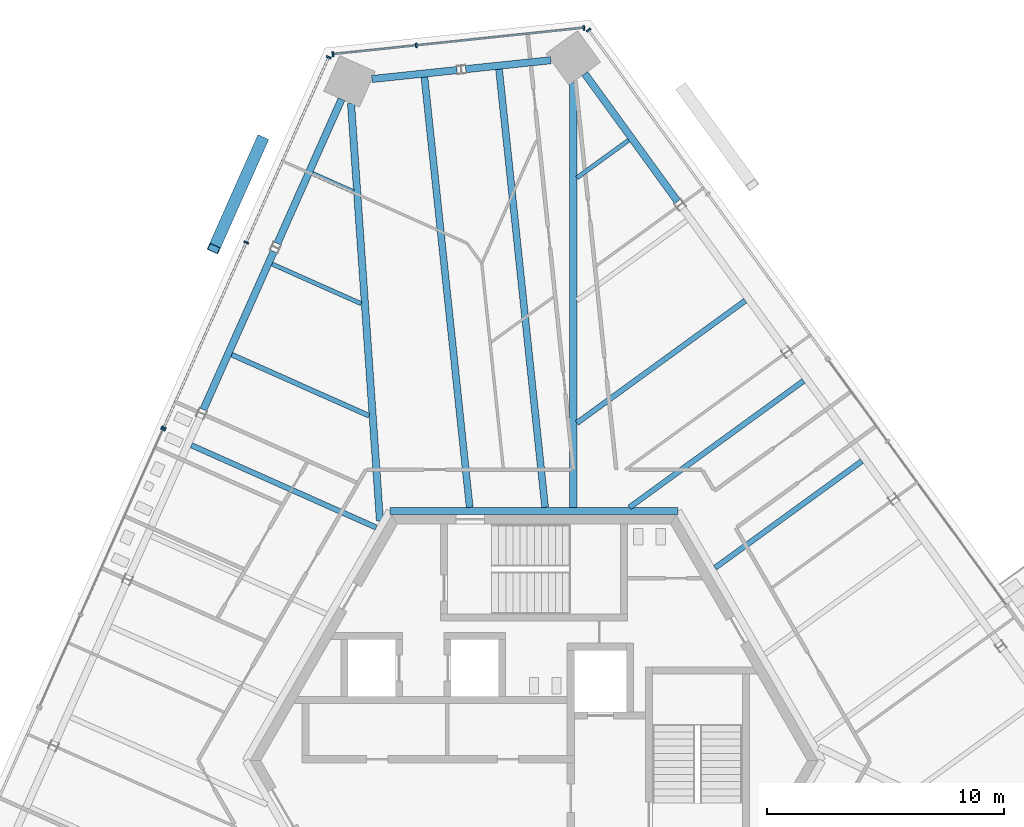
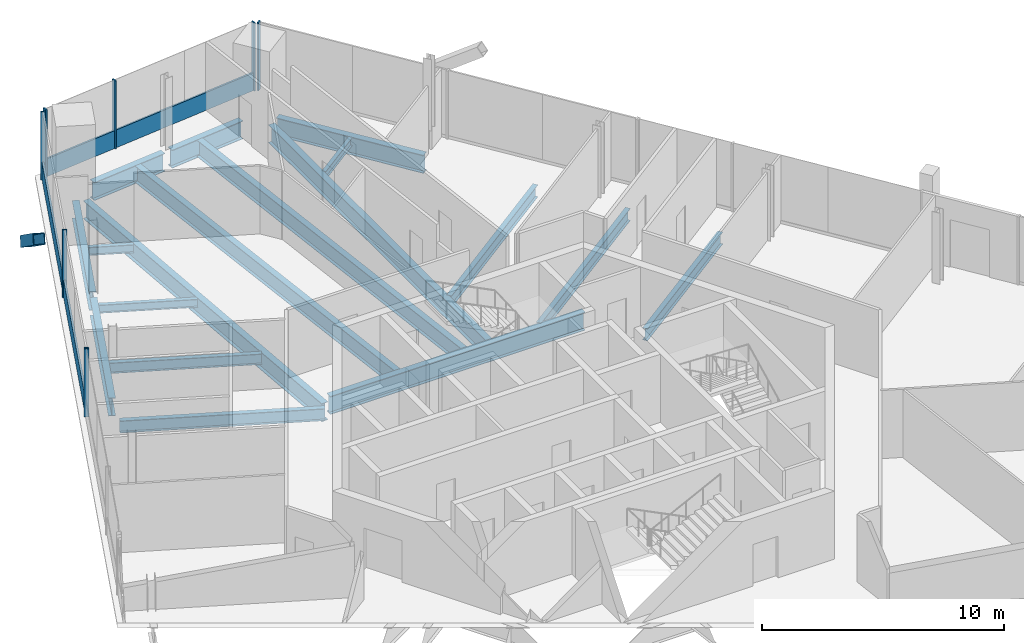
# One storey, part 8 of 19: 18 beams, 13 members, 4 elements without a shape of their own.
"""IFC4 building model written with IfcOpenShell, lengths in metres."""

from ifc_helpers import new_model, si_unit, direction, frame, origin, origin_2d, place, context, subcontext, project, spatial, rectangle, hollow_rectangle, i_section, extrude, source, transform, mapped, material, material_profile, profile_set, type_object, element, aggregate, save


model = new_model("IFC4")

# Units and contexts
model_context = context("Model", 3, precision=1e-05, world=origin(), true_north=direction((0.0, 1.0)))
body_context = subcontext(model_context, "Body", "Model", "MODEL_VIEW")
ifc_project = project(units=[si_unit("LENGTHUNIT", "METRE"), si_unit("AREAUNIT", "SQUARE_METRE"), si_unit("VOLUMEUNIT", "CUBIC_METRE"), si_unit("PLANEANGLEUNIT", "RADIAN"), si_unit("MASSUNIT", "GRAM", prefix="KILO")], contexts=[model_context])

# Site, building, storey
site_placement = place(None, origin())
site = spatial("IfcSite", under=ifc_project, at=site_placement, CompositionType="ELEMENT")
building_placement = place(site_placement, origin())
building = spatial("IfcBuilding", under=site, at=building_placement, Name="Triune Harvest Tower", CompositionType="ELEMENT")
storey_placement = place(building_placement, frame((0.0, 0.0, 223.300048828125)))
storey = spatial("IfcBuildingStorey", under=building, at=storey_placement, Name="L58", CompositionType="ELEMENT", Elevation=223.300048828125)

# Beams
ifc_material_1 = material(Name="Steel ASTM A992 Gr 50", Category="steel")
ifc_material_profile_1 = material_profile(ifc_material_1, i_section(OverallWidth=0.3046875, OverallDepth=0.914306640625, WebThickness=0.0166015625, FlangeThickness=0.02587890625, at=origin_2d()), Name="W36x160")
ifc_profile_set_1 = profile_set([ifc_material_profile_1], Name="Steel ASTM A992 Gr 50")
beam_type_1 = type_object("IfcBeamType", Name="CG-1 Core ring girder W36x160", PredefinedType="BEAM", material=ifc_profile_set_1)
shared_shape_1 = source(origin(), body_context, "Body", "SweptSolid", [
    extrude(i_section(OverallWidth=0.3046875, OverallDepth=0.914306640625, WebThickness=0.0166015625, FlangeThickness=0.02587890625, at=origin_2d()), origin(), (0.0, 0.0, 1.0), 12.17578125),
])
beam_1_placement = place(storey_placement, frame((6.087890625, 10.544677734375, -0.6171875), z_axis=(-1.0, 0.0, 0.0), x_axis=(0.0, -1.0, 0.0)))
element("IfcBeam", 1, at=beam_1_placement, inside=storey, type_object=beam_type_1, Name="beam/L58/CG2", PredefinedType="BEAM", context=body_context, shape_type="MappedRepresentation", body=[
    mapped(shared_shape_1, transform((0.0, 0.0, 0.0), scale=1.0)),
])
ifc_material_2 = material(Name="Steel ASTM A992 Gr 50", Category="steel")
ifc_material_profile_2 = material_profile(ifc_material_2, i_section(OverallWidth=0.3046875, OverallDepth=0.914306640625, WebThickness=0.0166015625, FlangeThickness=0.02587890625, at=origin_2d()), Name="W36x160")
ifc_profile_set_2 = profile_set([ifc_material_profile_2], Name="Steel ASTM A992 Gr 50")
beam_type_2 = type_object("IfcBeamType", Name="SB-1 Spandrel beam W36x160", PredefinedType="SPANDREL", material=ifc_profile_set_2)
shared_shape_2 = source(origin(), body_context, "Body", "SweptSolid", [
    extrude(i_section(OverallWidth=0.3046875, OverallDepth=0.914306640625, WebThickness=0.0166015625, FlangeThickness=0.02587890625, at=origin_2d()), origin(), (0.0, 0.0, 1.0), 6.67041015625),
])
beam_2_placement = place(storey_placement, frame((6.06396484375, 23.617919921875, -0.6171875), z_axis=(-0.587797324645, 0.80900822316, 0.0), x_axis=(-0.80900822316, -0.587797324645, 0.0)))
element("IfcBeam", 2, at=beam_2_placement, inside=storey, type_object=beam_type_2, Name="beam/L58/SB6", PredefinedType="SPANDREL", context=body_context, shape_type="MappedRepresentation", body=[
    mapped(shared_shape_2, transform((0.0, 0.0, 0.0), scale=1.0)),
])
shared_shape_3 = source(origin(), body_context, "Body", "SweptSolid", [
    extrude(i_section(OverallWidth=0.3046875, OverallDepth=0.914306640625, WebThickness=0.0166015625, FlangeThickness=0.02587890625, at=origin_2d()), origin(), (0.0, 0.0, 1.0), 3.614990234375),
])
for number, where, z_axis, x_axis, name in (
    (3, (0.710693359375, 29.58203125, -0.6171875), (-0.994520245169, -0.104544162673, 0.0), (0.104544162673, -0.994520245169, 0.0), "beam/L58/SB7"),
    (4, (-3.25048828125, 29.165771484375, -0.6171875), (-0.994520245169, -0.104544162673, 0.0), (0.104544162673, -0.994520245169, 0.0), "beam/L58/SB8"),
):
    element("IfcBeam", number, at=place(storey_placement, frame(where, z_axis=z_axis, x_axis=x_axis)), inside=storey, type_object=beam_type_2, Name=name, PredefinedType="SPANDREL", context=body_context, shape_type="MappedRepresentation", body=[
        mapped(shared_shape_3, transform((0.0, 0.0, 0.0), scale=1.0)),
    ])
shared_shape_4 = source(origin(), body_context, "Body", "SweptSolid", [
    extrude(i_section(OverallWidth=0.3046875, OverallDepth=0.914306640625, WebThickness=0.0166015625, FlangeThickness=0.02587890625, at=origin_2d()), origin(), (0.0, 0.0, 1.0), 6.670166015625),
])
beam_3_placement = place(storey_placement, frame((-8.128662109375, 27.9345703125, -0.6171875), z_axis=(-0.406753053854, -0.913538150917, 0.0), x_axis=(0.913538150917, -0.406753053854, 0.0)))
element("IfcBeam", 5, at=beam_3_placement, inside=storey, type_object=beam_type_2, Name="beam/L58/SB9", PredefinedType="SPANDREL", context=body_context, shape_type="MappedRepresentation", body=[
    mapped(shared_shape_4, transform((0.0, 0.0, 0.0), scale=1.0)),
])
shared_shape_5 = source(origin(), body_context, "Body", "SweptSolid", [
    extrude(i_section(OverallWidth=0.3046875, OverallDepth=0.914306640625, WebThickness=0.0166015625, FlangeThickness=0.02587890625, at=origin_2d()), origin(), (0.0, 0.0, 1.0), 7.311279296875),
])
beam_4_placement = place(storey_placement, frame((-10.991455078125, 21.504638671875, -0.6171875), z_axis=(-0.406720859208, -0.91355248491, 0.0), x_axis=(0.91355248491, -0.406720859208, 0.0)))
element("IfcBeam", 6, at=beam_4_placement, inside=storey, type_object=beam_type_2, Name="beam/L58/SB10", PredefinedType="SPANDREL", context=body_context, shape_type="MappedRepresentation", body=[
    mapped(shared_shape_5, transform((0.0, 0.0, 0.0), scale=1.0)),
])
ifc_material_3 = material(Name="Steel ASTM A992 Gr 50", Category="steel")
ifc_material_profile_3 = material_profile(ifc_material_3, i_section(OverallWidth=0.3046875, OverallDepth=0.914306640625, WebThickness=0.0166015625, FlangeThickness=0.02587890625, at=origin_2d()), Name="W36x160")
ifc_profile_set_3 = profile_set([ifc_material_profile_3], Name="Steel ASTM A992 Gr 50")
beam_type_3 = type_object("IfcBeamType", Name="HG-3 Hip girder W36x160", PredefinedType="BEAM", material=ifc_profile_set_3)
shared_shape_6 = source(origin(), body_context, "Body", "SweptSolid", [
    extrude(i_section(OverallWidth=0.3046875, OverallDepth=0.914306640625, WebThickness=0.0166015625, FlangeThickness=0.02587890625, at=origin_2d()), origin(), (0.0, 0.0, 1.0), 17.96484375),
])
beam_5_placement = place(storey_placement, frame((1.658203125, 28.661865234375, -0.6171875), z_axis=(0.0, -1.0, 0.0), x_axis=(1.0, 0.0, 0.0)))
element("IfcBeam", 7, at=beam_5_placement, inside=storey, type_object=beam_type_3, Name="beam/L58/HG3", PredefinedType="BEAM", context=body_context, shape_type="MappedRepresentation", body=[
    mapped(shared_shape_6, transform((0.0, 0.0, 0.0), scale=1.0)),
])
shared_shape_7 = source(origin(), body_context, "Body", "SweptSolid", [
    extrude(i_section(OverallWidth=0.3046875, OverallDepth=0.914306640625, WebThickness=0.0166015625, FlangeThickness=0.02587890625, at=origin_2d()), origin(), (0.0, 0.0, 1.0), 17.6748046875),
])
beam_6_placement = place(storey_placement, frame((-7.728515625, 27.756591796875, -0.6171875), z_axis=(0.069119702871, -0.997608373399, 0.0), x_axis=(0.997608373399, 0.069119702871, 0.0)))
element("IfcBeam", 8, at=beam_6_placement, inside=storey, type_object=beam_type_3, Name="beam/L58/HG4", PredefinedType="BEAM", context=body_context, shape_type="MappedRepresentation", body=[
    mapped(shared_shape_7, transform((0.0, 0.0, 0.0), scale=1.0)),
])
ifc_material_4 = material(Name="Steel ASTM A992 Gr 50", Category="steel")
ifc_material_profile_4 = material_profile(ifc_material_4, i_section(OverallWidth=0.2099609375, OverallDepth=0.535888671875, WebThickness=0.010986328125, FlangeThickness=0.017333984375, at=origin_2d()), Name="W21x68")
ifc_profile_set_4 = profile_set([ifc_material_profile_4], Name="Steel ASTM A992 Gr 50")
beam_type_4 = type_object("IfcBeamType", Name="JT-2 Floor joist W21x68", PredefinedType="JOIST", material=ifc_profile_set_4)
shared_shape_8 = source(origin(), body_context, "Body", "SweptSolid", [
    extrude(i_section(OverallWidth=0.2099609375, OverallDepth=0.535888671875, WebThickness=0.010986328125, FlangeThickness=0.017333984375, at=origin_2d()), origin(), (0.0, 0.0, 1.0), 6.346435546875),
])
beam_7_placement = place(storey_placement, frame((-12.76513671875, 17.146484375, -0.427978515625), z_axis=(0.913549614508, -0.406727306476, 0.0), x_axis=(0.406727306476, 0.913549614508, 0.0)))
element("IfcBeam", 9, at=beam_7_placement, inside=storey, type_object=beam_type_4, Name="beam/L58/JT15", PredefinedType="JOIST", context=body_context, shape_type="MappedRepresentation", body=[
    mapped(shared_shape_8, transform((0.0, 0.0, 0.0), scale=1.0)),
])
ifc_material_5 = material(Name="Steel ASTM A992 Gr 50", Category="steel")
ifc_material_profile_5 = material_profile(ifc_material_5, i_section(OverallWidth=0.22900390625, OverallDepth=0.612060546875, WebThickness=0.011962890625, FlangeThickness=0.01953125, at=origin_2d()), Name="W24x84")
ifc_profile_set_5 = profile_set([ifc_material_profile_5], Name="Steel ASTM A992 Gr 50")
beam_type_5 = type_object("IfcBeamType", Name="JT-3 Floor joist W24x84", PredefinedType="JOIST", material=ifc_profile_set_5)
shared_shape_9 = source(origin(), body_context, "Body", "SweptSolid", [
    extrude(i_section(OverallWidth=0.22900390625, OverallDepth=0.612060546875, WebThickness=0.011962890625, FlangeThickness=0.01953125, at=origin_2d()), origin(), (0.0, 0.0, 1.0), 7.659423828125),
])
beam_8_placement = place(storey_placement, frame((13.845458984375, 12.648193359375, -0.466064453125), z_axis=(-0.809007534686, -0.587798272217, 0.0), x_axis=(0.587798272217, -0.809007534686, 0.0)))
element("IfcBeam", 10, at=beam_8_placement, inside=storey, type_object=beam_type_5, Name="beam/L58/JT6", PredefinedType="JOIST", context=body_context, shape_type="MappedRepresentation", body=[
    mapped(shared_shape_9, transform((0.0, 0.0, 0.0), scale=1.0)),
])
shared_shape_10 = source(origin(), body_context, "Body", "SweptSolid", [
    extrude(i_section(OverallWidth=0.22900390625, OverallDepth=0.612060546875, WebThickness=0.011962890625, FlangeThickness=0.01953125, at=origin_2d()), origin(), (0.0, 0.0, 1.0), 9.084716796875),
])
beam_9_placement = place(storey_placement, frame((11.38330078125, 16.036865234375, -0.466064453125), z_axis=(-0.809014901919, -0.5877881323, 0.0), x_axis=(0.5877881323, -0.809014901919, 0.0)))
element("IfcBeam", 11, at=beam_9_placement, inside=storey, type_object=beam_type_5, Name="beam/L58/JT7", PredefinedType="JOIST", context=body_context, shape_type="MappedRepresentation", body=[
    mapped(shared_shape_10, transform((0.0, 0.0, 0.0), scale=1.0)),
])
shared_shape_11 = source(origin(), body_context, "Body", "SweptSolid", [
    extrude(i_section(OverallWidth=0.22900390625, OverallDepth=0.612060546875, WebThickness=0.011962890625, FlangeThickness=0.01953125, at=origin_2d()), origin(), (0.0, 0.0, 1.0), 8.789306640625),
])
beam_10_placement = place(storey_placement, frame((8.921142578125, 19.42578125, -0.466064453125), z_axis=(-0.809011065255, -0.587793412939, 0.0), x_axis=(0.587793412939, -0.809011065255, 0.0)))
element("IfcBeam", 12, at=beam_10_placement, inside=storey, type_object=beam_type_5, Name="beam/L58/JT8", PredefinedType="JOIST", context=body_context, shape_type="MappedRepresentation", body=[
    mapped(shared_shape_11, transform((0.0, 0.0, 0.0), scale=1.0)),
])
ifc_material_6 = material(Name="Steel ASTM A992 Gr 50", Category="steel")
ifc_material_profile_6 = material_profile(ifc_material_6, i_section(OverallWidth=0.180908203125, OverallDepth=0.41650390625, WebThickness=0.010986328125, FlangeThickness=0.01806640625, at=origin_2d()), Name="W16x57")
ifc_profile_set_6 = profile_set([ifc_material_profile_6], Name="Steel ASTM A992 Gr 50")
beam_type_6 = type_object("IfcBeamType", Name="JT-1 Floor joist W16x57", PredefinedType="JOIST", material=ifc_profile_set_6)
shared_shape_12 = source(origin(), body_context, "Body", "SweptSolid", [
    extrude(i_section(OverallWidth=0.180908203125, OverallDepth=0.41650390625, WebThickness=0.010986328125, FlangeThickness=0.01806640625, at=origin_2d()), origin(), (0.0, 0.0, 1.0), 2.70263671875),
])
beam_11_placement = place(storey_placement, frame((3.9970703125, 26.203369140625, -0.368408203125), z_axis=(-0.809013338029, -0.587790284788, 0.0), x_axis=(0.587790284788, -0.809013338029, 0.0)))
element("IfcBeam", 13, at=beam_11_placement, inside=storey, type_object=beam_type_6, Name="beam/L58/JT10", PredefinedType="JOIST", context=body_context, shape_type="MappedRepresentation", body=[
    mapped(shared_shape_12, transform((0.0, 0.0, 0.0), scale=1.0)),
])
ifc_material_7 = material(Name="Steel ASTM A992 Gr 50", Category="steel")
ifc_material_profile_7 = material_profile(ifc_material_7, i_section(OverallWidth=0.2919921875, OverallDepth=0.8408203125, WebThickness=0.0146484375, FlangeThickness=0.021728515625, at=origin_2d()), Name="W33x130")
ifc_profile_set_7 = profile_set([ifc_material_profile_7], Name="Steel ASTM A992 Gr 50")
beam_type_7 = type_object("IfcBeamType", Name="JT-6 Floor joist W33x130", PredefinedType="JOIST", material=ifc_profile_set_7)
shared_shape_13 = source(origin(), body_context, "Body", "SweptSolid", [
    extrude(i_section(OverallWidth=0.2919921875, OverallDepth=0.8408203125, WebThickness=0.0146484375, FlangeThickness=0.021728515625, at=origin_2d()), origin(), (0.0, 0.0, 1.0), 18.60400390625),
])
beam_12_placement = place(storey_placement, frame((-1.476318359375, 29.198974609375, -0.58056640625), z_axis=(0.104538595675, -0.994520830357, 0.0), x_axis=(0.994520830357, 0.104538595675, 0.0)))
element("IfcBeam", 14, at=beam_12_placement, inside=storey, type_object=beam_type_7, Name="beam/L58/JT11", PredefinedType="JOIST", context=body_context, shape_type="MappedRepresentation", body=[
    mapped(shared_shape_13, transform((0.0, 0.0, 0.0), scale=1.0)),
])
shared_shape_14 = source(origin(), body_context, "Body", "SweptSolid", [
    extrude(i_section(OverallWidth=0.2919921875, OverallDepth=0.8408203125, WebThickness=0.0146484375, FlangeThickness=0.021728515625, at=origin_2d()), origin(), (0.0, 0.0, 1.0), 18.27099609375),
])
beam_13_placement = place(storey_placement, frame((-4.626708984375, 28.867919921875, -0.58056640625), z_axis=(0.104532454263, -0.99452147589, 0.0), x_axis=(0.99452147589, 0.104532454263, 0.0)))
element("IfcBeam", 15, at=beam_13_placement, inside=storey, type_object=beam_type_7, Name="beam/L58/JT12", PredefinedType="JOIST", context=body_context, shape_type="MappedRepresentation", body=[
    mapped(shared_shape_14, transform((0.0, 0.0, 0.0), scale=1.0)),
])
shared_shape_15 = source(origin(), body_context, "Body", "SweptSolid", [
    extrude(i_section(OverallWidth=0.180908203125, OverallDepth=0.41650390625, WebThickness=0.010986328125, FlangeThickness=0.01806640625, at=origin_2d()), origin(), (0.0, 0.0, 1.0), 1.899169921875),
])
beam_14_placement = place(storey_placement, frame((-9.357666015625, 24.7998046875, -0.368408203125), z_axis=(0.913535666592, -0.406758633422, 0.0), x_axis=(0.406758633422, 0.913535666592, 0.0)))
element("IfcBeam", 16, at=beam_14_placement, inside=storey, type_object=beam_type_6, Name="beam/L58/JT13", PredefinedType="JOIST", context=body_context, shape_type="MappedRepresentation", body=[
    mapped(shared_shape_15, transform((0.0, 0.0, 0.0), scale=1.0)),
])
shared_shape_16 = source(origin(), body_context, "Body", "SweptSolid", [
    extrude(i_section(OverallWidth=0.180908203125, OverallDepth=0.41650390625, WebThickness=0.010986328125, FlangeThickness=0.01806640625, at=origin_2d()), origin(), (0.0, 0.0, 1.0), 4.12255859375),
])
beam_15_placement = place(storey_placement, frame((-11.061279296875, 20.972900390625, -0.368408203125), z_axis=(0.913547607509, -0.406731814363, 0.0), x_axis=(0.406731814363, 0.913547607509, 0.0)))
element("IfcBeam", 17, at=beam_15_placement, inside=storey, type_object=beam_type_6, Name="beam/L58/JT14", PredefinedType="JOIST", context=body_context, shape_type="MappedRepresentation", body=[
    mapped(shared_shape_16, transform((0.0, 0.0, 0.0), scale=1.0)),
])
shared_shape_17 = source(origin(), body_context, "Body", "SweptSolid", [
    extrude(i_section(OverallWidth=0.22900390625, OverallDepth=0.612060546875, WebThickness=0.011962890625, FlangeThickness=0.01953125, at=origin_2d()), origin(), (0.0, 0.0, 1.0), 8.539794921875),
])
beam_16_placement = place(storey_placement, frame((-14.46875, 13.319580078125, -0.466064453125), z_axis=(0.913548460016, -0.406729899567, 0.0), x_axis=(0.406729899567, 0.913548460016, 0.0)))
element("IfcBeam", 18, at=beam_16_placement, inside=storey, type_object=beam_type_5, Name="beam/L58/JT16", PredefinedType="JOIST", context=body_context, shape_type="MappedRepresentation", body=[
    mapped(shared_shape_17, transform((0.0, 0.0, 0.0), scale=1.0)),
])

# Member
ifc_material_8 = material(Name="Steel ASTM A572 Gr 50", Category="steel")
ifc_material_profile_8 = material_profile(ifc_material_8, hollow_rectangle(XDim=0.5, YDim=0.5, WallThickness=0.030029296875, at=origin_2d()), Name="Box 500x500x30")
ifc_profile_set_8 = profile_set([ifc_material_profile_8], Name="Steel ASTM A572 Gr 50")
member_type_1 = type_object("IfcMemberType", Name="BR-3 Brace Box 500x500x30", PredefinedType="BRACE", material=ifc_profile_set_8)
shared_shape_18 = source(origin(), body_context, "Body", "SweptSolid", [
    extrude(hollow_rectangle(XDim=0.5, YDim=0.5, WallThickness=0.030029296875, at=origin_2d()), origin(), (0.0, 0.0, 1.0), 6.1708984375),
])
member_1_placement = place(storey_placement, frame((-11.48876953125, 26.203857421875, 0.0), z_axis=(-0.330314717299, -0.74201132147, 0.583362139966), x_axis=(0.913568333883, -0.406685258309, 0.0)))
element("IfcMember", 19, at=member_1_placement, inside=storey, type_object=member_type_1, Name="brace/B6-F3/d1/2", PredefinedType="BRACE", context=body_context, shape_type="MappedRepresentation", body=[
    mapped(shared_shape_18, transform((0.0, 0.0, 0.0), scale=1.0)),
])

# Curtain wall, members
ifc_material_9 = material(Name="Aluminium bronze anodised", Category="aluminium")
curtain_wall_type_1 = type_object("IfcCurtainWallType", Name="CW-1 Tower stick curtain wall", PredefinedType="NOTDEFINED", material=ifc_material_9)
curtain_wall_1_placement = place(storey_placement, origin())
curtain_wall_1 = element("IfcCurtainWall", 20, at=curtain_wall_1_placement, inside=storey, type_object=curtain_wall_type_1, Name="CW-1 B6-F2 L58 run 1")
ifc_material_10 = material(Name="Aluminium bronze anodised", Category="aluminium")
ifc_material_profile_9 = material_profile(ifc_material_10, rectangle(XDim=0.199951171875, YDim=0.074951171875, at=origin_2d()), Name="MU-1 mullion 75 x 200")
ifc_profile_set_9 = profile_set([ifc_material_profile_9], Name="Aluminium bronze anodised")
member_type_2 = type_object("IfcMemberType", Name="MU-1 mullion 75 x 200", PredefinedType="MULLION", material=ifc_profile_set_9)
shared_shape_19 = source(origin(), body_context, "Body", "SweptSolid", [
    extrude(rectangle(XDim=0.199951171875, YDim=0.074951171875, at=origin_2d()), origin(), (0.0, 0.0, 1.0), 3.43994140625),
])
member_2_placement = place(storey_placement, frame((2.102294921875, 30.95068359375, 0.0), z_axis=(0.0, 0.0, 1.0), x_axis=(0.104529672907, -0.994521768229, 0.0)))
member_2 = element("IfcMember", 21, at=member_2_placement, type_object=member_type_2, Name="CW-1 mullion B6-F2 1.1", PredefinedType="MULLION", context=body_context, shape_type="MappedRepresentation", body=[
    mapped(shared_shape_19, transform((0.0, 0.0, 0.0), scale=1.0)),
])
member_3_placement = place(storey_placement, frame((-4.972412109375, 30.20703125, 0.0), z_axis=(0.0, 0.0, 1.0), x_axis=(0.104529672907, -0.994521768229, 0.0)))
member_3 = element("IfcMember", 22, at=member_3_placement, type_object=member_type_2, Name="CW-1 mullion B6-F2 1.3", PredefinedType="MULLION", context=body_context, shape_type="MappedRepresentation", body=[
    mapped(shared_shape_19, transform((0.0, 0.0, 0.0), scale=1.0)),
])
member_4_placement = place(storey_placement, frame((-8.4912109375, 29.837158203125, 0.0), z_axis=(0.0, 0.0, 1.0), x_axis=(0.104529672907, -0.994521768229, 0.0)))
member_4 = element("IfcMember", 23, at=member_4_placement, type_object=member_type_2, Name="CW-1 mullion B6-F2 1.4", PredefinedType="MULLION", context=body_context, shape_type="MappedRepresentation", body=[
    mapped(shared_shape_19, transform((0.0, 0.0, 0.0), scale=1.0)),
])

ifc_material_11 = material(Name="Aluminium bronze anodised", Category="aluminium")
curtain_wall_type_2 = type_object("IfcCurtainWallType", Name="CW-7 Tower stick curtain wall with insulated spandrel infill", PredefinedType="NOTDEFINED", material=ifc_material_11)
curtain_wall_2_placement = place(storey_placement, origin())
curtain_wall_2 = element("IfcCurtainWall", 24, at=curtain_wall_2_placement, inside=storey, type_object=curtain_wall_type_2, Name="CW-7 B6-F3 L58 run 1")
member_5_placement = place(storey_placement, frame((-8.669921875, 29.707275390625, 0.0), z_axis=(0.0, 0.0, 1.0), x_axis=(0.913545906768, -0.406735634323, 0.0)))
member_5 = element("IfcMember", 25, at=member_5_placement, type_object=member_type_2, Name="CW-7 mullion B6-F3 1.1", PredefinedType="MULLION", context=body_context, shape_type="MappedRepresentation", body=[
    mapped(shared_shape_19, transform((0.0, 0.0, 0.0), scale=1.0)),
])
member_6_placement = place(storey_placement, frame((-12.152587890625, 21.885009765625, 0.0), z_axis=(0.0, 0.0, 1.0), x_axis=(0.913545906768, -0.406735634323, 0.0)))
member_6 = element("IfcMember", 26, at=member_6_placement, type_object=member_type_2, Name="CW-7 mullion B6-F3 1.3", PredefinedType="MULLION", context=body_context, shape_type="MappedRepresentation", body=[
    mapped(shared_shape_19, transform((0.0, 0.0, 0.0), scale=1.0)),
])
member_7_placement = place(storey_placement, frame((-15.63525390625, 14.062744140625, 0.0), z_axis=(0.0, 0.0, 1.0), x_axis=(0.913545906768, -0.406735634323, 0.0)))
member_7 = element("IfcMember", 27, at=member_7_placement, type_object=member_type_2, Name="CW-7 mullion B6-F3 1.5", PredefinedType="MULLION", context=body_context, shape_type="MappedRepresentation", body=[
    mapped(shared_shape_19, transform((0.0, 0.0, 0.0), scale=1.0)),
])

# Curtain wall, member
curtain_wall_3_placement = place(storey_placement, origin())
curtain_wall_3 = element("IfcCurtainWall", 28, at=curtain_wall_3_placement, inside=storey, type_object=curtain_wall_type_1, Name="CW-1 B6-F3 L58 run 1001")
member_8_placement = place(storey_placement, frame((-15.665771484375, 13.994140625, 0.0), z_axis=(0.0, 0.0, 1.0), x_axis=(0.913542187998, -0.406743986739, 0.0)))
member_8 = element("IfcMember", 29, at=member_8_placement, type_object=member_type_2, Name="CW-1 mullion B6-F3 1001.1", PredefinedType="MULLION", context=body_context, shape_type="MappedRepresentation", body=[
    mapped(shared_shape_19, transform((0.0, 0.0, 0.0), scale=1.0)),
])
aggregate(curtain_wall_3, [member_8])

ifc_material_12 = material(Name="Aluminium bronze anodised", Category="aluminium")
curtain_wall_type_3 = type_object("IfcCurtainWallType", Name="CW-10 Balcony window wall with insulated spandrel infill", PredefinedType="NOTDEFINED", material=ifc_material_12)
curtain_wall_4_placement = place(storey_placement, origin())
curtain_wall_4 = element("IfcCurtainWall", 30, at=curtain_wall_4_placement, inside=storey, type_object=curtain_wall_type_3, Name="CW-10 B6-F1 L58 run 1002")
ifc_material_13 = material(Name="Aluminium bronze anodised", Category="aluminium")
ifc_material_profile_10 = material_profile(ifc_material_13, rectangle(XDim=0.199951171875, YDim=0.074951171875, at=origin_2d()), Name="MU-6 mullion 75 x 200")
ifc_profile_set_10 = profile_set([ifc_material_profile_10], Name="Aluminium bronze anodised")
member_type_3 = type_object("IfcMemberType", Name="MU-6 mullion 75 x 200", PredefinedType="MULLION", material=ifc_profile_set_10)
shared_shape_20 = source(origin(), body_context, "Body", "SweptSolid", [
    extrude(rectangle(XDim=0.199951171875, YDim=0.074951171875, at=origin_2d()), origin(), (0.0, 0.0, 1.0), 3.43994140625),
])
member_9_placement = place(storey_placement, frame((2.303955078125, 30.86083984375, 0.0), z_axis=(0.0, 0.0, 1.0), x_axis=(-0.809016631665, -0.587785751519, 0.0)))
member_9 = element("IfcMember", 31, at=member_9_placement, type_object=member_type_3, Name="CW-10 mullion B6-F1 1002.5", PredefinedType="MULLION", context=body_context, shape_type="MappedRepresentation", body=[
    mapped(shared_shape_20, transform((0.0, 0.0, 0.0), scale=1.0)),
])
aggregate(curtain_wall_4, [member_9])

# Member
ifc_material_14 = material(Name="Aluminium bronze anodised", Category="aluminium")
ifc_material_profile_11 = material_profile(ifc_material_14, rectangle(XDim=0.090087890625, YDim=0.89990234375, at=origin_2d()), Name="TR-1 transom 90 x 900")
ifc_profile_set_11 = profile_set([ifc_material_profile_11], Name="Aluminium bronze anodised")
member_type_4 = type_object("IfcMemberType", Name="TR-1 transom 90 x 900", PredefinedType="USERDEFINED", material=ifc_profile_set_11)
shared_shape_21 = source(origin(), body_context, "Body", "SweptSolid", [
    extrude(rectangle(XDim=0.090087890625, YDim=0.89990234375, at=origin_2d()), origin(), (0.0, 0.0, 1.0), 7.038818359375),
])
member_10_placement = place(storey_placement, frame((2.06494140625, 30.946533203125, 0.449951171875), z_axis=(-0.994524252306, -0.104506036069, 0.0), x_axis=(0.104506036069, -0.994524252306, 0.0)))
member_10 = element("IfcMember", 32, at=member_10_placement, type_object=member_type_4, Name="CW-1 transom B6-F2 1.1", ObjectType="TRANSOM", PredefinedType="USERDEFINED", context=body_context, shape_type="MappedRepresentation", body=[
    mapped(shared_shape_21, transform((0.0, 0.0, 0.0), scale=1.0)),
])

shared_shape_22 = source(origin(), body_context, "Body", "SweptSolid", [
    extrude(rectangle(XDim=0.090087890625, YDim=0.89990234375, at=origin_2d()), origin(), (0.0, 0.0, 1.0), 3.46337890625),
])
member_11_placement = place(storey_placement, frame((-5.009765625, 30.203125, 0.449951171875), z_axis=(-0.994520506962, -0.10454167223, 0.0), x_axis=(0.10454167223, -0.994520506962, 0.0)))
member_11 = element("IfcMember", 33, at=member_11_placement, type_object=member_type_4, Name="CW-1 transom B6-F2 1.2", ObjectType="TRANSOM", PredefinedType="USERDEFINED", context=body_context, shape_type="MappedRepresentation", body=[
    mapped(shared_shape_22, transform((0.0, 0.0, 0.0), scale=1.0)),
])

aggregate(curtain_wall_1, [member_2, member_3, member_4, member_10, member_11])

shared_shape_23 = source(origin(), body_context, "Body", "SweptSolid", [
    extrude(rectangle(XDim=0.090087890625, YDim=0.89990234375, at=origin_2d()), origin(), (0.0, 0.0, 1.0), 8.487548828125),
])
member_12_placement = place(storey_placement, frame((-8.685302734375, 29.673095703125, 0.449951171875), z_axis=(-0.406725527369, -0.913550406593, 0.0), x_axis=(0.913550406593, -0.406725527369, 0.0)))
member_12 = element("IfcMember", 34, at=member_12_placement, type_object=member_type_4, Name="CW-7 transom B6-F3 1.1", ObjectType="TRANSOM", PredefinedType="USERDEFINED", context=body_context, shape_type="MappedRepresentation", body=[
    mapped(shared_shape_23, transform((0.0, 0.0, 0.0), scale=1.0)),
])

member_13_placement = place(storey_placement, frame((-12.16796875, 21.850830078125, 0.449951171875), z_axis=(-0.406725527369, -0.913550406593, 0.0), x_axis=(0.913550406593, -0.406725527369, 0.0)))
member_13 = element("IfcMember", 35, at=member_13_placement, type_object=member_type_4, Name="CW-7 transom B6-F3 1.2", ObjectType="TRANSOM", PredefinedType="USERDEFINED", context=body_context, shape_type="MappedRepresentation", body=[
    mapped(shared_shape_23, transform((0.0, 0.0, 0.0), scale=1.0)),
])

aggregate(curtain_wall_2, [member_5, member_6, member_7, member_12, member_13])

save(model, "model.ifc")
